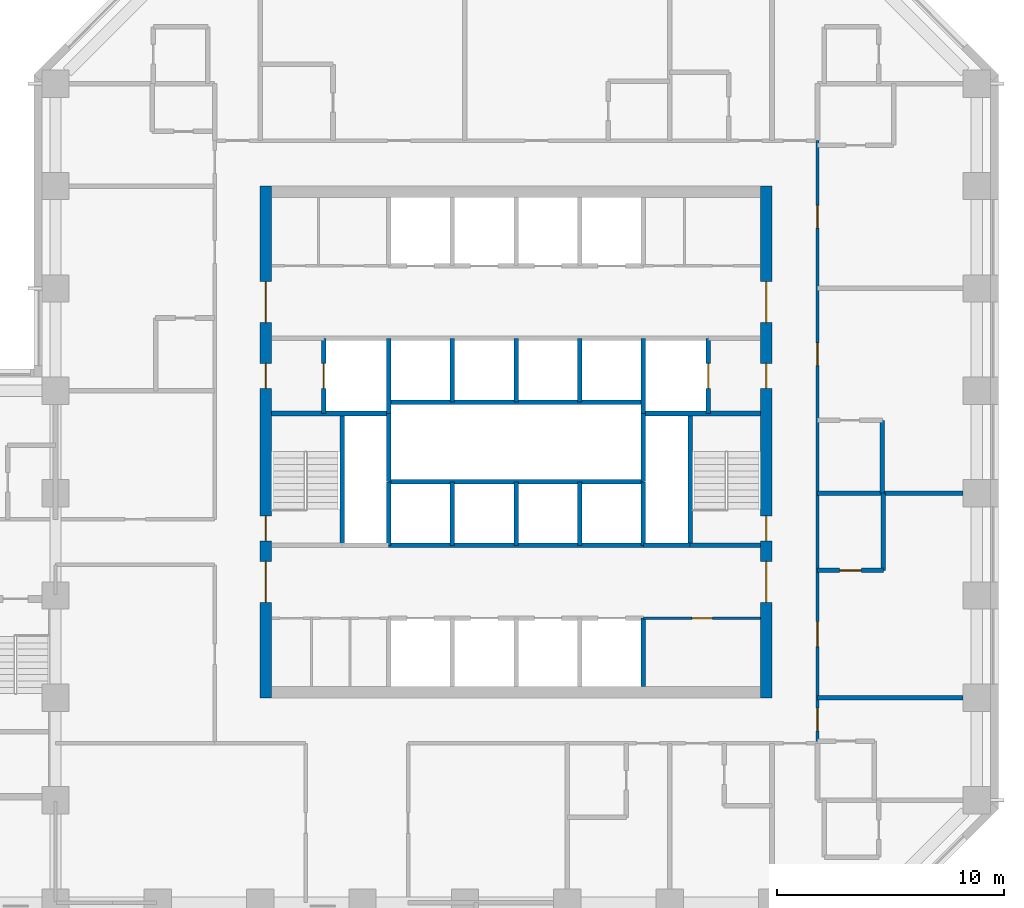
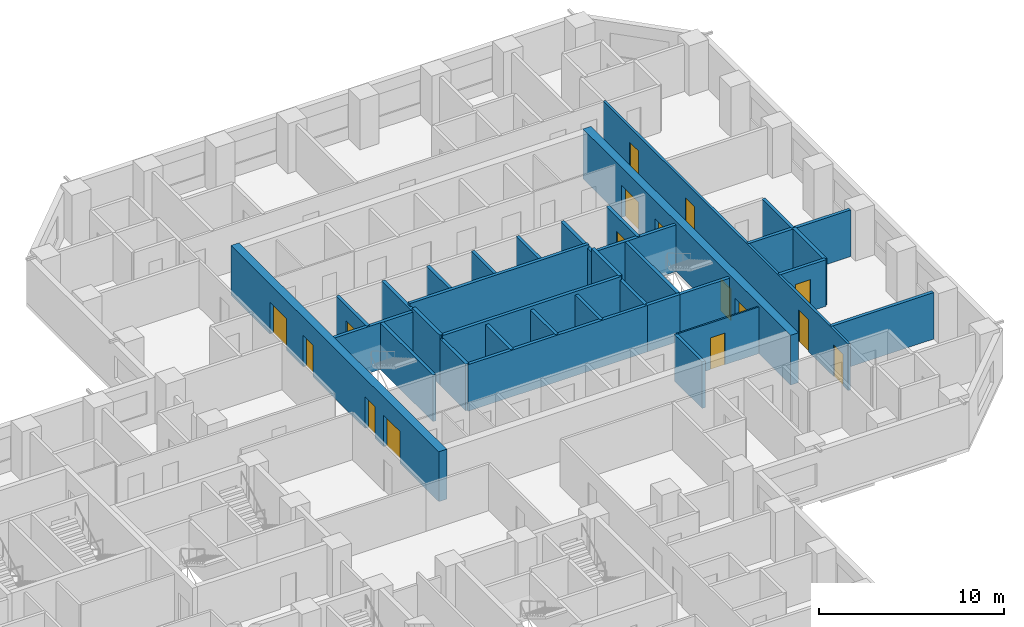
# One storey, part 9 of 13: 33 walls, 16 doors, 16 openings.
"""IFC4 building model written with IfcOpenShell, lengths in metres."""

import ifcopenshell
import ifcopenshell.guid

model = None  # the IFC model being written
_history = None  # IfcOwnerHistory: only IFC2X3 demands one
_inside = {}  # id of a spatial element -> (the spatial element, [elements in it])
_under = {}  # id of a project, library or spatial element -> (it, [spatial elements below it])
_declared = {}  # id of a project -> (the project, [libraries it declares])
_typed = {}  # id of a type object -> (the type object, [elements of that type])
_made_of = {}  # id of a material, layer set ... -> (it, [elements and type objects made of it])


def new_model(schema):
    """Start an empty IFC model of exactly this schema.

    Asked for "IFC4X3", IfcOpenShell would pick the latest addendum, in which some entities
    have other attributes; the version numbers below select the first issue.
    IFC2X3 requires an IfcOwnerHistory on every rooted entity: one is made here for all.
    """
    global model, _history
    if schema == "IFC4X3":
        model = ifcopenshell.file(schema_version=(4, 3, 0, 0))
    else:
        model = ifcopenshell.file(schema=schema)
    _inside.clear()
    _under.clear()
    _declared.clear()
    _typed.clear()
    _made_of.clear()
    _history = None
    if model.schema == "IFC2X3":
        org = make("IfcOrganization", Name="unknown")
        user = make(
            "IfcPersonAndOrganization",
            ThePerson=make("IfcPerson", FamilyName="unknown"),
            TheOrganization=org,
        )
        app = make(
            "IfcApplication",
            ApplicationDeveloper=org,
            Version="unknown",
            ApplicationFullName="unknown",
            ApplicationIdentifier="unknown",
        )
        _history = make(
            "IfcOwnerHistory",
            OwningUser=user,
            OwningApplication=app,
            ChangeAction="ADDED",
            CreationDate=0,
        )
    return model


def make(cls, **values):
    """One entity of the class cls with the attributes given. An attribute that is None is left unset."""
    return model.create_entity(
        cls, **{name: value for name, value in values.items() if value is not None}
    )


def rooted(cls, **values):
    """An entity with a GlobalId (a new one), such as an element, a storey or a relation."""
    return make(cls, GlobalId=ifcopenshell.guid.new(), OwnerHistory=_history, **values)


def si_unit(unit_type, name, prefix=None):
    """IfcSIUnit, for example si_unit("LENGTHUNIT", "METRE", prefix="MILLI")."""
    return make("IfcSIUnit", UnitType=unit_type, Prefix=prefix, Name=name)


def assignment(units):
    """IfcUnitAssignment: the units of a project."""
    return None if units is None else make("IfcUnitAssignment", Units=units)


def point(xyz):
    """IfcCartesianPoint."""
    return None if xyz is None else make("IfcCartesianPoint", Coordinates=xyz)


def direction(xyz):
    """IfcDirection."""
    return None if xyz is None else make("IfcDirection", DirectionRatios=xyz)


def frame(location, z_axis=None, x_axis=None):
    """IfcAxis2Placement3D, a coordinate frame: its origin and axes. An axis left out is left unset."""
    return make(
        "IfcAxis2Placement3D",
        Location=point(location),
        Axis=direction(z_axis),
        RefDirection=direction(x_axis),
    )


def frame_2d(location, x_axis=None):
    """IfcAxis2Placement2D, a coordinate frame in the plane: its origin and x axis."""
    return make(
        "IfcAxis2Placement2D", Location=point(location), RefDirection=direction(x_axis)
    )


def origin():
    """The frame at (0, 0, 0) with its axes left unset."""
    return frame((0.0, 0.0, 0.0))


def place(relative_to, where):
    """IfcLocalPlacement: puts the frame where relative to a parent placement (None: the world)."""
    return make(
        "IfcLocalPlacement", PlacementRelTo=relative_to, RelativePlacement=where
    )


def context(
    kind, dimensions, precision=None, world=None, true_north=None, identifier=None
):
    """IfcGeometricRepresentationContext, for example the 3D "Model" context."""
    return make(
        "IfcGeometricRepresentationContext",
        ContextIdentifier=identifier,
        ContextType=kind,
        CoordinateSpaceDimension=dimensions,
        Precision=precision,
        WorldCoordinateSystem=world,
        TrueNorth=true_north,
    )


def subcontext(parent, identifier, kind, view, scale=None):
    """IfcGeometricRepresentationSubContext, for example "Body" below "Model"."""
    return make(
        "IfcGeometricRepresentationSubContext",
        ContextIdentifier=identifier,
        ContextType=kind,
        ParentContext=parent,
        TargetScale=scale,
        TargetView=view,
    )


def project(units=None, contexts=None):
    """IfcProject with its units and contexts."""
    return rooted(
        "IfcProject",
        Name="project",
        RepresentationContexts=contexts,
        UnitsInContext=assignment(units),
    )


def spatial(cls, under=None, at=None, **own):
    """A site, building, storey or space (cls), placed at a placement, below another one or the project."""
    s = rooted(cls, ObjectPlacement=at, **own)
    if under is not None:
        _under.setdefault(under.id(), (under, []))[1].append(s)
    return s


def profile(cls, at=None, kind="AREA", **sizes):
    """A parametric profile (cls). Its sizes go by their IFC names, for example OverallWidth=200.0."""
    return make(cls, ProfileType=kind, Position=at, **sizes)


def rectangle(**sizes):
    """IfcRectangleProfileDef."""
    return profile("IfcRectangleProfileDef", **sizes)


def extrude(swept, where, along, depth):
    """IfcExtrudedAreaSolid: the profile swept, set in the frame where, extruded along a direction by depth."""
    return make(
        "IfcExtrudedAreaSolid",
        SweptArea=swept,
        Position=where,
        ExtrudedDirection=direction(along),
        Depth=depth,
    )


def shape(context_of_items, identifier, shape_type, items):
    """IfcShapeRepresentation: the items that make up one representation, for example the "Body"."""
    return make(
        "IfcShapeRepresentation",
        ContextOfItems=context_of_items,
        RepresentationIdentifier=identifier,
        RepresentationType=shape_type,
        Items=items,
    )


def material(Name=None, Category=None):
    """IfcMaterial."""
    return make("IfcMaterial", Name=Name, Category=Category)


def layer(
    of_material, thickness, ventilated=None, Name=None, Category=None, Priority=None
):
    """IfcMaterialLayer: one layer of a wall or slab, of a material (None: an air gap)."""
    return make(
        "IfcMaterialLayer",
        Material=of_material,
        LayerThickness=thickness,
        IsVentilated=ventilated,
        Name=Name,
        Category=Category,
        Priority=Priority,
    )


def layer_set(layers, Name=None):
    """IfcMaterialLayerSet."""
    return make("IfcMaterialLayerSet", MaterialLayers=layers, LayerSetName=Name)


def made_of(thing, what):
    """Note that an element or type object is made of a material, layer set ...; save() writes the relation."""
    if what is not None:
        _made_of.setdefault(what.id(), (what, []))[1].append(thing)
    return thing


def type_object(cls, material=None, **own):
    """A type object (cls), such as IfcWallType, which elements share."""
    return made_of(rooted(cls, **own), material)


def element(
    cls,
    number,
    at=None,
    inside=None,
    cuts=None,
    type_object=None,
    material=None,
    context=None,
    identifier="Body",
    shape_type=None,
    held_by="IfcProductDefinitionShape",
    body=None,
    shapes=None,
    **own,
):
    """One element of the class cls, such as IfcWall. Its Tag is "e" and its number.

    at: its placement. inside: the storey or other place that contains it. cuts: it is an
    opening in that element (IfcRelVoidsElement). A single representation is given by context,
    identifier, shape_type and body (its items); several are given by shapes. held_by: the class
    of the entity that holds the representations. save() writes the other relations.
    """
    e = rooted(cls, Tag="e%d" % number, ObjectPlacement=at, **own)
    if body is not None:
        shapes = [shape(context, identifier, shape_type, body)]
    if shapes is not None:
        e.Representation = make(held_by, Representations=shapes)
    if inside is not None:
        _inside.setdefault(inside.id(), (inside, []))[1].append(e)
    if cuts is not None:
        rooted(
            "IfcRelVoidsElement", RelatingBuildingElement=cuts, RelatedOpeningElement=e
        )
    if type_object is not None:
        _typed.setdefault(type_object.id(), (type_object, []))[1].append(e)
    return made_of(e, material)


def fill(opening, filler):
    """IfcRelFillsElement: the door or window that sits in an opening."""
    return rooted(
        "IfcRelFillsElement",
        RelatingOpeningElement=opening,
        RelatedBuildingElement=filler,
    )


def aggregate(whole, parts):
    """IfcRelAggregates: a whole, such as a stair, and the parts it consists of."""
    return rooted("IfcRelAggregates", RelatingObject=whole, RelatedObjects=parts)


def save(model, path):
    """Write the relations noted so far, then the file.

    IfcRelAggregates (storeys below a building ...), IfcRelContainedInSpatialStructure (elements
    in a storey), IfcRelDefinesByType, IfcRelAssociatesMaterial and IfcRelDeclares: one each for
    every whole, place, type object, material and project.
    """
    for whole, parts in _under.values():
        aggregate(whole, parts)
    for where, things in _inside.values():
        rooted(
            "IfcRelContainedInSpatialStructure",
            RelatedElements=things,
            RelatingStructure=where,
        )
    for kind, things in _typed.values():
        rooted("IfcRelDefinesByType", RelatedObjects=things, RelatingType=kind)
    for what, things in _made_of.values():
        rooted("IfcRelAssociatesMaterial", RelatedObjects=things, RelatingMaterial=what)
    for by, libraries in _declared.values():
        rooted("IfcRelDeclares", RelatingContext=by, RelatedDefinitions=libraries)
    model.write(path)


model = new_model("IFC4")

# Units and contexts
model_context = context("Model", 3, precision=1e-05, world=origin(), true_north=direction((0.0, 1.0)))
body_context = subcontext(model_context, "Body", "Model", "MODEL_VIEW")
ifc_project = project(units=[si_unit("LENGTHUNIT", "METRE"), si_unit("AREAUNIT", "SQUARE_METRE"), si_unit("VOLUMEUNIT", "CUBIC_METRE"), si_unit("PLANEANGLEUNIT", "RADIAN"), si_unit("MASSUNIT", "GRAM", prefix="KILO")], contexts=[model_context])

# Site, building, storey
site_placement = place(None, origin())
site = spatial("IfcSite", under=ifc_project, at=site_placement, CompositionType="ELEMENT")
building_placement = place(site_placement, origin())
building = spatial("IfcBuilding", under=site, at=building_placement, Name="Quoin Convention Tower", CompositionType="ELEMENT")
storey_placement = place(building_placement, frame((0.0, 0.0, 36.300048828125)))
storey = spatial("IfcBuildingStorey", under=building, at=storey_placement, Name="L08", CompositionType="ELEMENT", Elevation=36.300048828125)

# Wall, opening, door
ifc_material_1 = material(Name="Plasterboard")
ifc_layer_1 = layer(ifc_material_1, 0.012451171875, Name="Finish")
ifc_material_2 = material(Name="Steel stud framing", Category="steel")
ifc_layer_2 = layer(ifc_material_2, 0.074951171875, Name="Structure")
ifc_layer_3 = layer(ifc_material_1, 0.012451171875, Name="Finish")
ifc_layer_set_1 = layer_set([ifc_layer_1, ifc_layer_2, ifc_layer_3], Name="Steel stud framing")
wall_type_1 = type_object("IfcWallType", Name="Core partition wall", PredefinedType="PARTITIONING", material=ifc_layer_set_1)
wall_1_placement = place(storey_placement, frame((61.85009765625, 53.0, 0.0), z_axis=(0.0, 0.0, 1.0), x_axis=(1.0, 0.0, 0.0)))
wall_1 = element("IfcWall", 1, at=wall_1_placement, inside=storey, type_object=wall_type_1, Name="cr-C1-L08-h3500_16850", PredefinedType="PARTITIONING", context=body_context, shape_type="SweptSolid", body=[
    extrude(rectangle(XDim=5.14990234375, YDim=0.10009765625, at=frame_2d((2.574951171875, 0.0))), origin(), (0.0, 0.0, 1.0), 3.079833984375),
])
opening_1_placement = place(wall_1_placement, frame((2.125, 0.0, 0.0)))
opening_1 = element("IfcOpeningElement", 2, at=opening_1_placement, cuts=wall_1, Name="Opening DCV3-19", PredefinedType="OPENING", context=body_context, shape_type="SweptSolid", body=[
    extrude(rectangle(XDim=0.89990234375, YDim=2.10009765625, at=frame_2d((0.449951171875, 1.050048828125))), frame((0.0, 0.06005859375, 0.0), z_axis=(0.0, -1.0, 0.0), x_axis=(1.0, 0.0, 0.0)), (0.0, 0.0, 1.0), 0.1201171875),
])
ifc_material_3 = material(Name="Steel door leaf", Category="steel")
door_type_1 = type_object("IfcDoorType", Name="Core room door 900 x 2100", OperationType="SINGLE_SWING_LEFT", PredefinedType="DOOR", material=ifc_material_3)
door_1_placement = place(opening_1_placement, frame((0.89990234375, 0.0, 0.0), z_axis=(0.0, 0.0, 1.0), x_axis=(-1.0, 0.0, 0.0)))
door_1 = element("IfcDoor", 3, at=door_1_placement, inside=storey, type_object=door_type_1, Name="cd-C1-L08-CSE0-lobA-CD0811", OperationType="SINGLE_SWING_RIGHT", OverallHeight=2.10009765625, OverallWidth=0.89990234375, PredefinedType="DOOR", context=body_context, shape_type="SweptSolid", body=[
    extrude(rectangle(XDim=0.89990234375, YDim=2.10009765625, at=frame_2d((0.449951171875, 1.050048828125))), frame((0.0, 0.02490234375, 0.0), z_axis=(0.0, -1.0, 0.0), x_axis=(1.0, 0.0, 0.0)), (0.0, 0.0, 1.0), 0.050048828125),
])
fill(opening_1, door_1)

# Walls
ifc_material_4 = material(Name="Concrete C50", Category="concrete")
ifc_layer_4 = layer(ifc_material_4, 0.199951171875)
ifc_layer_set_2 = layer_set([ifc_layer_4], Name="Concrete C50")
wall_type_2 = type_object("IfcWallType", Name="Core shaft wall", PredefinedType="SOLIDWALL", material=ifc_layer_set_2)
wall_2_placement = place(storey_placement, frame((61.85009765625, 56.199951171875, 0.0), z_axis=(0.0, 0.0, 1.0), x_axis=(1.0, 0.0, 0.0)))
element("IfcWall", 4, at=wall_2_placement, inside=storey, type_object=wall_type_2, Name="cr-C1-L08-h6700_16850", PredefinedType="SOLIDWALL", context=body_context, shape_type="SweptSolid", body=[
    extrude(rectangle(XDim=2.0498046875, YDim=0.199951171875, at=frame_2d((1.02490234375, 0.0))), origin(), (0.0, 0.0, 1.0), 3.079833984375),
])
wall_3_placement = place(storey_placement, frame((50.64990234375, 56.199951171875, 0.0), z_axis=(0.0, 0.0, 1.0), x_axis=(1.0, 0.0, 0.0)))
element("IfcWall", 5, at=wall_3_placement, inside=storey, type_object=wall_type_2, Name="cr-C1-L08-h6700_5650", PredefinedType="SOLIDWALL", context=body_context, shape_type="SweptSolid", body=[
    extrude(rectangle(XDim=11.2001953125, YDim=0.199951171875, at=frame_2d((5.60009765625, 0.0))), origin(), (0.0, 0.0, 1.0), 3.079833984375),
])
wall_4_placement = place(storey_placement, frame((63.89990234375, 56.199951171875, 0.0), z_axis=(0.0, 0.0, 1.0), x_axis=(1.0, 0.0, 0.0)))
element("IfcWall", 6, at=wall_4_placement, inside=storey, type_object=wall_type_2, Name="cr-C1-L08-h6700_18900", PredefinedType="SOLIDWALL", context=body_context, shape_type="SweptSolid", body=[
    extrude(rectangle(XDim=3.10009765625, YDim=0.199951171875, at=frame_2d((1.550048828125, 0.0))), origin(), (0.0, 0.0, 1.0), 3.079833984375),
])
for number, where, z_axis, x_axis, name in (
    (7, (45.5, 62.0, 0.0), (0.0, 0.0, 1.0), (1.0, 0.0, 0.0), "cr-C1-L08-h12500_500"),
    (8, (61.85009765625, 62.0, 0.0), (0.0, 0.0, 1.0), (1.0, 0.0, 0.0), "cr-C1-L08-h12500_16850"),
):
    element("IfcWall", number, at=place(storey_placement, frame(where, z_axis=z_axis, x_axis=x_axis)), inside=storey, type_object=wall_type_2, Name=name, PredefinedType="SOLIDWALL", context=body_context, shape_type="SweptSolid", body=[
        extrude(rectangle(XDim=5.14990234375, YDim=0.199951171875, at=frame_2d((2.574951171875, 0.0))), origin(), (0.0, 0.0, 1.0), 3.079833984375),
    ])

# Wall, opening, door
wall_5_placement = place(storey_placement, frame((47.800048828125, 62.0, 0.0), z_axis=(0.0, 0.0, 1.0), x_axis=(0.0, 1.0, 0.0)))
wall_5 = element("IfcWall", 9, at=wall_5_placement, inside=storey, type_object=wall_type_2, Name="cr-C1-L08-v2800_12500", PredefinedType="SOLIDWALL", context=body_context, shape_type="SweptSolid", body=[
    extrude(rectangle(XDim=3.300048828125, YDim=0.199951171875, at=frame_2d((1.64990234375, 0.0))), origin(), (0.0, 0.0, 1.0), 3.079833984375),
])
opening_2_placement = place(wall_5_placement, frame((1.10009765625, 0.0, 0.0)))
opening_2 = element("IfcOpeningElement", 10, at=opening_2_placement, cuts=wall_5, Name="Opening LDFL1", PredefinedType="OPENING", context=body_context, shape_type="SweptSolid", body=[
    extrude(rectangle(XDim=1.10009765625, YDim=2.10009765625, at=frame_2d((0.550048828125, 1.050048828125))), frame((0.0, 0.10986328125, 0.0), z_axis=(0.0, -1.0, 0.0), x_axis=(1.0, 0.0, 0.0)), (0.0, 0.0, 1.0), 0.219970703125),
])
door_type_2 = type_object("IfcDoorType", Name="Lift landing door 1100 x 2100", OperationType="DOUBLE_DOOR_SLIDING", PredefinedType="DOOR", material=ifc_material_3)
door_2_placement = place(opening_2_placement, origin())
door_2 = element("IfcDoor", 11, at=door_2_placement, inside=storey, type_object=door_type_2, Name="cd-C1-L08-FLW-FFW-LDFL1", OperationType="DOUBLE_DOOR_SLIDING", OverallHeight=2.10009765625, OverallWidth=1.10009765625, PredefinedType="DOOR", context=body_context, shape_type="SweptSolid", body=[
    extrude(rectangle(XDim=1.10009765625, YDim=2.10009765625, at=frame_2d((0.550048828125, 1.050048828125))), frame((0.0, 0.02490234375, 0.0), z_axis=(0.0, -1.0, 0.0), x_axis=(1.0, 0.0, 0.0)), (0.0, 0.0, 1.0), 0.050048828125),
])
fill(opening_2, door_2)

# Walls
wall_6_placement = place(storey_placement, frame((48.60009765625, 56.199951171875, 0.0), z_axis=(0.0, 0.0, 1.0), x_axis=(0.0, 1.0, 0.0)))
element("IfcWall", 12, at=wall_6_placement, inside=storey, type_object=wall_type_2, Name="cr-C1-L08-v3600_6700", PredefinedType="SOLIDWALL", context=body_context, shape_type="SweptSolid", body=[
    extrude(rectangle(XDim=5.800048828125, YDim=0.199951171875, at=frame_2d((2.89990234375, 0.0))), origin(), (0.0, 0.0, 1.0), 3.079833984375),
])
wall_7_placement = place(storey_placement, frame((50.64990234375, 56.199951171875, 0.0), z_axis=(0.0, 0.0, 1.0), x_axis=(0.0, 1.0, 0.0)))
element("IfcWall", 13, at=wall_7_placement, inside=storey, type_object=wall_type_2, Name="cr-C1-L08-v5650_6700", PredefinedType="SOLIDWALL", context=body_context, shape_type="SweptSolid", body=[
    extrude(rectangle(XDim=2.800048828125, YDim=0.199951171875, at=frame_2d((1.39990234375, 0.0))), origin(), (0.0, 0.0, 1.0), 3.079833984375),
])
wall_8_placement = place(storey_placement, frame((50.64990234375, 62.0, 0.0), z_axis=(0.0, 0.0, 1.0), x_axis=(0.0, 1.0, 0.0)))
element("IfcWall", 14, at=wall_8_placement, inside=storey, type_object=wall_type_2, Name="cr-C1-L08-v5650_12500", PredefinedType="SOLIDWALL", context=body_context, shape_type="SweptSolid", body=[
    extrude(rectangle(XDim=3.300048828125, YDim=0.199951171875, at=frame_2d((1.64990234375, 0.0))), origin(), (0.0, 0.0, 1.0), 3.079833984375),
])
for number, where, z_axis, x_axis, name in (
    (15, (53.449951171875, 56.199951171875, 0.0), (0.0, 0.0, 1.0), (0.0, 1.0, 0.0), "cr-C1-L08-v8450_6700"),
    (16, (53.449951171875, 62.5, 0.0), (0.0, 0.0, 1.0), (0.0, 1.0, 0.0), "cr-C1-L08-v8450_13000"),
    (17, (56.25, 56.199951171875, 0.0), (0.0, 0.0, 1.0), (0.0, 1.0, 0.0), "cr-C1-L08-v11250_6700"),
    (18, (56.25, 62.5, 0.0), (0.0, 0.0, 1.0), (0.0, 1.0, 0.0), "cr-C1-L08-v11250_13000"),
    (19, (59.050048828125, 56.199951171875, 0.0), (0.0, 0.0, 1.0), (0.0, 1.0, 0.0), "cr-C1-L08-v14050_6700"),
    (20, (59.050048828125, 62.5, 0.0), (0.0, 0.0, 1.0), (0.0, 1.0, 0.0), "cr-C1-L08-v14050_13000"),
):
    element("IfcWall", number, at=place(storey_placement, frame(where, z_axis=z_axis, x_axis=x_axis)), inside=storey, type_object=wall_type_2, Name=name, PredefinedType="SOLIDWALL", context=body_context, shape_type="SweptSolid", body=[
        extrude(rectangle(XDim=2.800048828125, YDim=0.199951171875, at=frame_2d((1.39990234375, 0.0))), origin(), (0.0, 0.0, 1.0), 3.079833984375),
    ])
wall_9_placement = place(storey_placement, frame((61.85009765625, 50.0, 0.0), z_axis=(0.0, 0.0, 1.0), x_axis=(0.0, 1.0, 0.0)))
element("IfcWall", 21, at=wall_9_placement, inside=storey, type_object=wall_type_2, Name="cr-C1-L08-v16850_500", PredefinedType="SOLIDWALL", context=body_context, shape_type="SweptSolid", body=[
    extrude(rectangle(XDim=3.0, YDim=0.199951171875, at=frame_2d((1.5, 0.0))), origin(), (0.0, 0.0, 1.0), 3.079833984375),
])
wall_10_placement = place(storey_placement, frame((61.85009765625, 56.199951171875, 0.0), z_axis=(0.0, 0.0, 1.0), x_axis=(0.0, 1.0, 0.0)))
element("IfcWall", 22, at=wall_10_placement, inside=storey, type_object=wall_type_2, Name="cr-C1-L08-v16850_6700", PredefinedType="SOLIDWALL", context=body_context, shape_type="SweptSolid", body=[
    extrude(rectangle(XDim=2.800048828125, YDim=0.199951171875, at=frame_2d((1.39990234375, 0.0))), origin(), (0.0, 0.0, 1.0), 3.079833984375),
])
wall_11_placement = place(storey_placement, frame((61.85009765625, 62.0, 0.0), z_axis=(0.0, 0.0, 1.0), x_axis=(0.0, 1.0, 0.0)))
element("IfcWall", 23, at=wall_11_placement, inside=storey, type_object=wall_type_2, Name="cr-C1-L08-v16850_12500", PredefinedType="SOLIDWALL", context=body_context, shape_type="SweptSolid", body=[
    extrude(rectangle(XDim=3.300048828125, YDim=0.199951171875, at=frame_2d((1.64990234375, 0.0))), origin(), (0.0, 0.0, 1.0), 3.079833984375),
])
wall_12_placement = place(storey_placement, frame((63.89990234375, 56.199951171875, 0.0), z_axis=(0.0, 0.0, 1.0), x_axis=(0.0, 1.0, 0.0)))
element("IfcWall", 24, at=wall_12_placement, inside=storey, type_object=wall_type_2, Name="cr-C1-L08-v18900_6700", PredefinedType="SOLIDWALL", context=body_context, shape_type="SweptSolid", body=[
    extrude(rectangle(XDim=5.800048828125, YDim=0.199951171875, at=frame_2d((2.89990234375, 0.0))), origin(), (0.0, 0.0, 1.0), 3.079833984375),
])

# Wall, opening, door
wall_13_placement = place(storey_placement, frame((64.699951171875, 62.0, 0.0), z_axis=(0.0, 0.0, 1.0), x_axis=(0.0, 1.0, 0.0)))
wall_13 = element("IfcWall", 25, at=wall_13_placement, inside=storey, type_object=wall_type_2, Name="cr-C1-L08-v19700_12500", PredefinedType="SOLIDWALL", context=body_context, shape_type="SweptSolid", body=[
    extrude(rectangle(XDim=3.300048828125, YDim=0.199951171875, at=frame_2d((1.64990234375, 0.0))), origin(), (0.0, 0.0, 1.0), 3.079833984375),
])
opening_3_placement = place(wall_13_placement, frame((1.10009765625, 0.0, 0.0)))
opening_3 = element("IfcOpeningElement", 26, at=opening_3_placement, cuts=wall_13, Name="Opening LDFL2", PredefinedType="OPENING", context=body_context, shape_type="SweptSolid", body=[
    extrude(rectangle(XDim=1.10009765625, YDim=2.10009765625, at=frame_2d((0.550048828125, 1.050048828125))), frame((0.0, 0.10986328125, 0.0), z_axis=(0.0, -1.0, 0.0), x_axis=(1.0, 0.0, 0.0)), (0.0, 0.0, 1.0), 0.219970703125),
])
door_3_placement = place(opening_3_placement, origin())
door_3 = element("IfcDoor", 27, at=door_3_placement, inside=storey, type_object=door_type_2, Name="cd-C1-L08-FLE-FFE-LDFL2", OperationType="DOUBLE_DOOR_SLIDING", OverallHeight=2.10009765625, OverallWidth=1.10009765625, PredefinedType="DOOR", context=body_context, shape_type="SweptSolid", body=[
    extrude(rectangle(XDim=1.10009765625, YDim=2.10009765625, at=frame_2d((0.550048828125, 1.050048828125))), frame((0.0, 0.02490234375, 0.0), z_axis=(0.0, -1.0, 0.0), x_axis=(1.0, 0.0, 0.0)), (0.0, 0.0, 1.0), 0.050048828125),
])
fill(opening_3, door_3)

# Walls
ifc_layer_5 = layer(ifc_material_4, 0.199951171875)
ifc_layer_set_3 = layer_set([ifc_layer_5], Name="Concrete C50")
wall_type_3 = type_object("IfcWallType", Name="Core shaft wall to the floor level over", PredefinedType="SOLIDWALL", material=ifc_layer_set_3)
for number, where, z_axis, x_axis, name in (
    (28, (50.64990234375, 59.0, 0.0), (0.0, 0.0, 1.0), (1.0, 0.0, 0.0), "cr-C1-L08-h9500_5650"),
    (29, (50.64990234375, 62.5, 0.0), (0.0, 0.0, 1.0), (1.0, 0.0, 0.0), "cr-C1-L08-h13000_5650"),
):
    element("IfcWall", number, at=place(storey_placement, frame(where, z_axis=z_axis, x_axis=x_axis)), inside=storey, type_object=wall_type_3, Name=name, PredefinedType="SOLIDWALL", context=body_context, shape_type="SweptSolid", body=[
        extrude(rectangle(XDim=11.2001953125, YDim=0.199951171875, at=frame_2d((5.60009765625, 0.0))), origin(), (0.0, 0.0, 1.0), 3.300048828125),
    ])
for number, where, z_axis, x_axis, name in (
    (30, (50.64990234375, 59.0, 0.0), (0.0, 0.0, 1.0), (0.0, 1.0, 0.0), "cr-C1-L08-v5650_9500"),
    (31, (61.85009765625, 59.0, 0.0), (0.0, 0.0, 1.0), (0.0, 1.0, 0.0), "cr-C1-L08-v16850_9500"),
):
    element("IfcWall", number, at=place(storey_placement, frame(where, z_axis=z_axis, x_axis=x_axis)), inside=storey, type_object=wall_type_3, Name=name, PredefinedType="SOLIDWALL", context=body_context, shape_type="SweptSolid", body=[
        extrude(rectangle(XDim=3.0, YDim=0.199951171875, at=frame_2d((1.5, 0.0))), origin(), (0.0, 0.0, 1.0), 3.300048828125),
    ])

# Wall, openings, doors
ifc_material_5 = material(Name="Concrete C80", Category="concrete")
ifc_layer_6 = layer(ifc_material_5, 0.5)
ifc_layer_set_4 = layer_set([ifc_layer_6], Name="Concrete C80")
wall_type_4 = type_object("IfcWallType", Name="RC CORE WALL 500 C80", PredefinedType="SHEAR", material=ifc_layer_set_4)
wall_14_placement = place(storey_placement, frame((45.25, 49.5, 0.0), z_axis=(0.0, 0.0, 1.0), x_axis=(0.0, 1.0, 0.0)))
wall_14 = element("IfcWall", 32, at=wall_14_placement, inside=storey, type_object=wall_type_4, Name="cwl-C1-L08-W", PredefinedType="SHEAR", context=body_context, shape_type="SweptSolid", body=[
    extrude(rectangle(XDim=22.5, YDim=0.5, at=frame_2d((11.25, 0.0))), origin(), (0.0, 0.0, 1.0), 3.300048828125),
])
opening_4_placement = place(wall_14_placement, frame((4.199951171875, 0.0, 0.0)))
opening_4 = element("IfcOpeningElement", 33, at=opening_4_placement, cuts=wall_14, Name="Opening DCV3-40", PredefinedType="OPENING", context=body_context, shape_type="SweptSolid", body=[
    extrude(rectangle(XDim=1.800048828125, YDim=2.10009765625, at=frame_2d((0.89990234375, 1.050048828125))), frame((0.0, 0.260009765625, 0.0), z_axis=(0.0, -1.0, 0.0), x_axis=(1.0, 0.0, 0.0)), (0.0, 0.0, 1.0), 0.52001953125),
])
opening_5_placement = place(wall_14_placement, frame((6.89990234375, 0.0, 0.0)))
opening_5 = element("IfcOpeningElement", 34, at=opening_5_placement, cuts=wall_14, Name="Opening SD1", PredefinedType="OPENING", context=body_context, shape_type="SweptSolid", body=[
    extrude(rectangle(XDim=1.10009765625, YDim=2.10009765625, at=frame_2d((0.550048828125, 1.050048828125))), frame((0.0, 0.260009765625, 0.0), z_axis=(0.0, -1.0, 0.0), x_axis=(1.0, 0.0, 0.0)), (0.0, 0.0, 1.0), 0.52001953125),
])
opening_6_placement = place(wall_14_placement, frame((13.60009765625, 0.0, 0.0)))
opening_6 = element("IfcOpeningElement", 35, at=opening_6_placement, cuts=wall_14, Name="Opening DCV3-39", PredefinedType="OPENING", context=body_context, shape_type="SweptSolid", body=[
    extrude(rectangle(XDim=1.10009765625, YDim=2.10009765625, at=frame_2d((0.550048828125, 1.050048828125))), frame((0.0, 0.260009765625, 0.0), z_axis=(0.0, -1.0, 0.0), x_axis=(1.0, 0.0, 0.0)), (0.0, 0.0, 1.0), 0.52001953125),
])
opening_7_placement = place(wall_14_placement, frame((16.5, 0.0, 0.0)))
opening_7 = element("IfcOpeningElement", 36, at=opening_7_placement, cuts=wall_14, Name="Opening DCV3-40", PredefinedType="OPENING", context=body_context, shape_type="SweptSolid", body=[
    extrude(rectangle(XDim=1.800048828125, YDim=2.10009765625, at=frame_2d((0.89990234375, 1.050048828125))), frame((0.0, 0.260009765625, 0.0), z_axis=(0.0, -1.0, 0.0), x_axis=(1.0, 0.0, 0.0)), (0.0, 0.0, 1.0), 0.52001953125),
])
door_type_3 = type_object("IfcDoorType", Name="Fire-fighting lobby door 1100 x 2100", OperationType="SINGLE_SWING_LEFT", PredefinedType="DOOR", material=ifc_material_3)
door_4_placement = place(opening_6_placement, frame((1.10009765625, 0.0, 0.0), z_axis=(0.0, 0.0, 1.0), x_axis=(-1.0, 0.0, 0.0)))
door_4 = element("IfcDoor", 37, at=door_4_placement, inside=storey, type_object=door_type_3, Name="cd-C1-L08-FFW-W", OperationType="SINGLE_SWING_LEFT", OverallHeight=2.10009765625, OverallWidth=1.10009765625, PredefinedType="DOOR", context=body_context, shape_type="SweptSolid", body=[
    extrude(rectangle(XDim=1.10009765625, YDim=2.10009765625, at=frame_2d((0.550048828125, 1.050048828125))), frame((0.0, 0.02490234375, 0.0), z_axis=(0.0, -1.0, 0.0), x_axis=(1.0, 0.0, 0.0)), (0.0, 0.0, 1.0), 0.050048828125),
])
fill(opening_6, door_4)
door_type_4 = type_object("IfcDoorType", Name="Lift lobby door 1800 x 2100", OperationType="SINGLE_SWING_LEFT", PredefinedType="DOOR", material=ifc_material_3)
door_5_placement = place(opening_4_placement, frame((1.800048828125, 0.0, 0.0), z_axis=(0.0, 0.0, 1.0), x_axis=(-1.0, 0.0, 0.0)))
door_5 = element("IfcDoor", 38, at=door_5_placement, inside=storey, type_object=door_type_4, Name="cd-C1-L08-lobA-W", OperationType="SINGLE_SWING_LEFT", OverallHeight=2.10009765625, OverallWidth=1.800048828125, PredefinedType="DOOR", context=body_context, shape_type="SweptSolid", body=[
    extrude(rectangle(XDim=1.800048828125, YDim=2.10009765625, at=frame_2d((0.89990234375, 1.050048828125))), frame((0.0, 0.02490234375, 0.0), z_axis=(0.0, -1.0, 0.0), x_axis=(1.0, 0.0, 0.0)), (0.0, 0.0, 1.0), 0.050048828125),
])
fill(opening_4, door_5)
door_6_placement = place(opening_7_placement, frame((1.800048828125, 0.0, 0.0), z_axis=(0.0, 0.0, 1.0), x_axis=(-1.0, 0.0, 0.0)))
door_6 = element("IfcDoor", 39, at=door_6_placement, inside=storey, type_object=door_type_4, Name="cd-C1-L08-lobB-W", OperationType="SINGLE_SWING_LEFT", OverallHeight=2.10009765625, OverallWidth=1.800048828125, PredefinedType="DOOR", context=body_context, shape_type="SweptSolid", body=[
    extrude(rectangle(XDim=1.800048828125, YDim=2.10009765625, at=frame_2d((0.89990234375, 1.050048828125))), frame((0.0, 0.02490234375, 0.0), z_axis=(0.0, -1.0, 0.0), x_axis=(1.0, 0.0, 0.0)), (0.0, 0.0, 1.0), 0.050048828125),
])
fill(opening_7, door_6)
door_type_5 = type_object("IfcDoorType", Name="Stair door 1100 x 2100", OperationType="SINGLE_SWING_RIGHT", PredefinedType="DOOR", material=ifc_material_3)
door_7_placement = place(opening_5_placement, frame((1.10009765625, 0.0, 0.0), z_axis=(0.0, 0.0, 1.0), x_axis=(-1.0, 0.0, 0.0)))
door_7 = element("IfcDoor", 40, at=door_7_placement, inside=storey, type_object=door_type_5, Name="cd-C1-L08-STW-W", OperationType="SINGLE_SWING_RIGHT", OverallHeight=2.10009765625, OverallWidth=1.10009765625, PredefinedType="DOOR", context=body_context, shape_type="SweptSolid", body=[
    extrude(rectangle(XDim=1.10009765625, YDim=2.10009765625, at=frame_2d((0.550048828125, 1.050048828125))), frame((0.0, 0.02490234375, 0.0), z_axis=(0.0, -1.0, 0.0), x_axis=(1.0, 0.0, 0.0)), (0.0, 0.0, 1.0), 0.050048828125),
])
fill(opening_5, door_7)

wall_15_placement = place(storey_placement, frame((67.25, 49.5, 0.0), z_axis=(0.0, 0.0, 1.0), x_axis=(0.0, 1.0, 0.0)))
wall_15 = element("IfcWall", 41, at=wall_15_placement, inside=storey, type_object=wall_type_4, Name="cwl-C1-L08-E", PredefinedType="SHEAR", context=body_context, shape_type="SweptSolid", body=[
    extrude(rectangle(XDim=22.5, YDim=0.5, at=frame_2d((11.25, 0.0))), origin(), (0.0, 0.0, 1.0), 3.300048828125),
])
opening_8_placement = place(wall_15_placement, frame((4.199951171875, 0.0, 0.0)))
opening_8 = element("IfcOpeningElement", 42, at=opening_8_placement, cuts=wall_15, Name="Opening DCV3-38", PredefinedType="OPENING", context=body_context, shape_type="SweptSolid", body=[
    extrude(rectangle(XDim=1.800048828125, YDim=2.10009765625, at=frame_2d((0.89990234375, 1.050048828125))), frame((0.0, 0.260009765625, 0.0), z_axis=(0.0, -1.0, 0.0), x_axis=(1.0, 0.0, 0.0)), (0.0, 0.0, 1.0), 0.52001953125),
])
opening_9_placement = place(wall_15_placement, frame((6.89990234375, 0.0, 0.0)))
opening_9 = element("IfcOpeningElement", 43, at=opening_9_placement, cuts=wall_15, Name="Opening SD2", PredefinedType="OPENING", context=body_context, shape_type="SweptSolid", body=[
    extrude(rectangle(XDim=1.10009765625, YDim=2.10009765625, at=frame_2d((0.550048828125, 1.050048828125))), frame((0.0, 0.260009765625, 0.0), z_axis=(0.0, -1.0, 0.0), x_axis=(1.0, 0.0, 0.0)), (0.0, 0.0, 1.0), 0.52001953125),
])
opening_10_placement = place(wall_15_placement, frame((13.60009765625, 0.0, 0.0)))
opening_10 = element("IfcOpeningElement", 44, at=opening_10_placement, cuts=wall_15, Name="Opening DCV3-37", PredefinedType="OPENING", context=body_context, shape_type="SweptSolid", body=[
    extrude(rectangle(XDim=1.10009765625, YDim=2.10009765625, at=frame_2d((0.550048828125, 1.050048828125))), frame((0.0, 0.260009765625, 0.0), z_axis=(0.0, -1.0, 0.0), x_axis=(1.0, 0.0, 0.0)), (0.0, 0.0, 1.0), 0.52001953125),
])
opening_11_placement = place(wall_15_placement, frame((16.5, 0.0, 0.0)))
opening_11 = element("IfcOpeningElement", 45, at=opening_11_placement, cuts=wall_15, Name="Opening DCV3-38", PredefinedType="OPENING", context=body_context, shape_type="SweptSolid", body=[
    extrude(rectangle(XDim=1.800048828125, YDim=2.10009765625, at=frame_2d((0.89990234375, 1.050048828125))), frame((0.0, 0.260009765625, 0.0), z_axis=(0.0, -1.0, 0.0), x_axis=(1.0, 0.0, 0.0)), (0.0, 0.0, 1.0), 0.52001953125),
])
door_8_placement = place(opening_10_placement, origin())
door_8 = element("IfcDoor", 46, at=door_8_placement, inside=storey, type_object=door_type_3, Name="cd-C1-L08-FFE-E", OperationType="SINGLE_SWING_RIGHT", OverallHeight=2.10009765625, OverallWidth=1.10009765625, PredefinedType="DOOR", context=body_context, shape_type="SweptSolid", body=[
    extrude(rectangle(XDim=1.10009765625, YDim=2.10009765625, at=frame_2d((0.550048828125, 1.050048828125))), frame((0.0, 0.02490234375, 0.0), z_axis=(0.0, -1.0, 0.0), x_axis=(1.0, 0.0, 0.0)), (0.0, 0.0, 1.0), 0.050048828125),
])
fill(opening_10, door_8)
door_9_placement = place(opening_8_placement, origin())
door_9 = element("IfcDoor", 47, at=door_9_placement, inside=storey, type_object=door_type_4, Name="cd-C1-L08-lobA-E", OperationType="SINGLE_SWING_RIGHT", OverallHeight=2.10009765625, OverallWidth=1.800048828125, PredefinedType="DOOR", context=body_context, shape_type="SweptSolid", body=[
    extrude(rectangle(XDim=1.800048828125, YDim=2.10009765625, at=frame_2d((0.89990234375, 1.050048828125))), frame((0.0, 0.02490234375, 0.0), z_axis=(0.0, -1.0, 0.0), x_axis=(1.0, 0.0, 0.0)), (0.0, 0.0, 1.0), 0.050048828125),
])
fill(opening_8, door_9)
door_10_placement = place(opening_11_placement, origin())
door_10 = element("IfcDoor", 48, at=door_10_placement, inside=storey, type_object=door_type_4, Name="cd-C1-L08-lobB-E", OperationType="SINGLE_SWING_RIGHT", OverallHeight=2.10009765625, OverallWidth=1.800048828125, PredefinedType="DOOR", context=body_context, shape_type="SweptSolid", body=[
    extrude(rectangle(XDim=1.800048828125, YDim=2.10009765625, at=frame_2d((0.89990234375, 1.050048828125))), frame((0.0, 0.02490234375, 0.0), z_axis=(0.0, -1.0, 0.0), x_axis=(1.0, 0.0, 0.0)), (0.0, 0.0, 1.0), 0.050048828125),
])
fill(opening_11, door_10)
door_11_placement = place(opening_9_placement, origin())
door_11 = element("IfcDoor", 49, at=door_11_placement, inside=storey, type_object=door_type_5, Name="cd-C1-L08-STE-E", OperationType="SINGLE_SWING_LEFT", OverallHeight=2.10009765625, OverallWidth=1.10009765625, PredefinedType="DOOR", context=body_context, shape_type="SweptSolid", body=[
    extrude(rectangle(XDim=1.10009765625, YDim=2.10009765625, at=frame_2d((0.550048828125, 1.050048828125))), frame((0.0, 0.02490234375, 0.0), z_axis=(0.0, -1.0, 0.0), x_axis=(1.0, 0.0, 0.0)), (0.0, 0.0, 1.0), 0.050048828125),
])
fill(opening_9, door_11)

# Wall
ifc_layer_7 = layer(ifc_material_4, 0.199951171875)
ifc_layer_set_5 = layer_set([ifc_layer_7], Name="Concrete C50")
wall_type_5 = type_object("IfcWallType", Name="RC party wall", PredefinedType="SOLIDWALL", material=ifc_layer_set_5)
wall_16_placement = place(storey_placement, frame((69.5, 49.5, 0.0), z_axis=(0.0, 0.0, 1.0), x_axis=(1.0, 0.0, 0.0)))
element("IfcWall", 50, at=wall_16_placement, inside=storey, type_object=wall_type_5, Name="pw-L08-105", PredefinedType="SOLIDWALL", context=body_context, shape_type="SweptSolid", body=[
    extrude(rectangle(XDim=6.39990234375, YDim=0.199951171875, at=frame_2d((3.199951171875, 0.0))), origin(), (0.0, 0.0, 1.0), 3.079833984375),
])

# Wall, opening, door
wall_17_placement = place(storey_placement, frame((69.5, 55.10009765625, 0.0), z_axis=(0.0, 0.0, 1.0), x_axis=(1.0, 0.0, 0.0)))
wall_17 = element("IfcWall", 51, at=wall_17_placement, inside=storey, type_object=wall_type_5, Name="pw-L08-107", PredefinedType="SOLIDWALL", context=body_context, shape_type="SweptSolid", body=[
    extrude(rectangle(XDim=2.89990234375, YDim=0.199951171875, at=frame_2d((1.449951171875, 0.0))), origin(), (0.0, 0.0, 1.0), 3.079833984375),
])
opening_12_placement = place(wall_17_placement, frame((0.97509765625, 0.0, 0.0)))
opening_12 = element("IfcOpeningElement", 52, at=opening_12_placement, cuts=wall_17, Name="Opening DHOTEL-D-62", PredefinedType="OPENING", context=body_context, shape_type="SweptSolid", body=[
    extrude(rectangle(XDim=0.949951171875, YDim=2.10009765625, at=frame_2d((0.47509765625, 1.050048828125))), frame((0.0, 0.10986328125, 0.0), z_axis=(0.0, -1.0, 0.0), x_axis=(1.0, 0.0, 0.0)), (0.0, 0.0, 1.0), 0.219970703125),
])
door_type_6 = type_object("IfcDoorType", Name="Accessible bathroom door", OperationType="SINGLE_SWING_LEFT", PredefinedType="DOOR", material=ifc_material_3)
door_12_placement = place(opening_12_placement, frame((0.949951171875, 0.0, 0.0), z_axis=(0.0, 0.0, 1.0), x_axis=(-1.0, 0.0, 0.0)))
door_12 = element("IfcDoor", 53, at=door_12_placement, inside=storey, type_object=door_type_6, Name="dr-L08-052", OperationType="SINGLE_SWING_RIGHT", OverallHeight=2.10009765625, OverallWidth=0.949951171875, PredefinedType="DOOR", context=body_context, shape_type="SweptSolid", body=[
    extrude(rectangle(XDim=0.949951171875, YDim=2.10009765625, at=frame_2d((0.47509765625, 1.050048828125))), frame((0.0, 0.02490234375, 0.0), z_axis=(0.0, -1.0, 0.0), x_axis=(1.0, 0.0, 0.0)), (0.0, 0.0, 1.0), 0.050048828125),
])
fill(opening_12, door_12)

# Walls
wall_18_placement = place(storey_placement, frame((72.39990234375, 55.10009765625, 0.0), z_axis=(0.0, 0.0, 1.0), x_axis=(0.0, 1.0, 0.0)))
element("IfcWall", 54, at=wall_18_placement, inside=storey, type_object=wall_type_5, Name="pw-L08-108", PredefinedType="SOLIDWALL", context=body_context, shape_type="SweptSolid", body=[
    extrude(rectangle(XDim=3.39990234375, YDim=0.199951171875, at=frame_2d((1.699951171875, 0.0))), origin(), (0.0, 0.0, 1.0), 3.079833984375),
])
wall_19_placement = place(storey_placement, frame((69.5, 58.5, 0.0), z_axis=(0.0, 0.0, 1.0), x_axis=(1.0, 0.0, 0.0)))
element("IfcWall", 55, at=wall_19_placement, inside=storey, type_object=wall_type_5, Name="pw-L08-119", PredefinedType="SOLIDWALL", context=body_context, shape_type="SweptSolid", body=[
    extrude(rectangle(XDim=6.39990234375, YDim=0.199951171875, at=frame_2d((3.199951171875, 0.0))), origin(), (0.0, 0.0, 1.0), 3.079833984375),
])
wall_20_placement = place(storey_placement, frame((72.35009765625, 58.5, 0.0), z_axis=(0.0, 0.0, 1.0), x_axis=(0.0, 1.0, 0.0)))
element("IfcWall", 56, at=wall_20_placement, inside=storey, type_object=wall_type_5, Name="pw-L08-120", PredefinedType="SOLIDWALL", context=body_context, shape_type="SweptSolid", body=[
    extrude(rectangle(XDim=3.199951171875, YDim=0.199951171875, at=frame_2d((1.60009765625, 0.0))), origin(), (0.0, 0.0, 1.0), 3.079833984375),
])

# Wall, openings, doors
ifc_layer_8 = layer(ifc_material_1, 0.012451171875, Name="Finish")
ifc_layer_9 = layer(ifc_material_2, 0.125, Name="Structure")
ifc_layer_10 = layer(ifc_material_1, 0.012451171875, Name="Finish")
ifc_layer_set_6 = layer_set([ifc_layer_8, ifc_layer_9, ifc_layer_10], Name="Steel stud framing")
wall_type_6 = type_object("IfcWallType", Name="corridor partition", PredefinedType="PARTITIONING", material=ifc_layer_set_6)
wall_21_placement = place(storey_placement, frame((69.5, 47.5, 0.0), z_axis=(0.0, 0.0, 1.0), x_axis=(0.0, 1.0, 0.0)))
wall_21 = element("IfcWall", 57, at=wall_21_placement, inside=storey, type_object=wall_type_6, Name="pw-L08-031", PredefinedType="PARTITIONING", context=body_context, shape_type="SweptSolid", body=[
    extrude(rectangle(XDim=26.5, YDim=0.14990234375, at=frame_2d((13.25, 0.0))), origin(), (0.0, 0.0, 1.0), 3.079833984375),
])
opening_13_placement = place(wall_21_placement, frame((22.64990234375, 0.0, 0.0)))
opening_13 = element("IfcOpeningElement", 58, at=opening_13_placement, cuts=wall_21, Name="Opening DHOTEL-D-31", PredefinedType="OPENING", context=body_context, shape_type="SweptSolid", body=[
    extrude(rectangle(XDim=1.0, YDim=2.10009765625, at=frame_2d((0.5, 1.050048828125))), frame((0.0, 0.0849609375, 0.0), z_axis=(0.0, -1.0, 0.0), x_axis=(1.0, 0.0, 0.0)), (0.0, 0.0, 1.0), 0.169921875),
])
opening_14_placement = place(wall_21_placement, frame((16.60009765625, 0.0, 0.0)))
opening_14 = element("IfcOpeningElement", 59, at=opening_14_placement, cuts=wall_21, Name="Opening DHOTEL-D-30", PredefinedType="OPENING", context=body_context, shape_type="SweptSolid", body=[
    extrude(rectangle(XDim=1.0, YDim=2.10009765625, at=frame_2d((0.5, 1.050048828125))), frame((0.0, 0.0849609375, 0.0), z_axis=(0.0, -1.0, 0.0), x_axis=(1.0, 0.0, 0.0)), (0.0, 0.0, 1.0), 0.169921875),
])
opening_15_placement = place(wall_21_placement, frame((4.25, 0.0, 0.0)))
opening_15 = element("IfcOpeningElement", 60, at=opening_15_placement, cuts=wall_21, Name="Opening DHOTEL-D-29", PredefinedType="OPENING", context=body_context, shape_type="SweptSolid", body=[
    extrude(rectangle(XDim=1.10009765625, YDim=2.10009765625, at=frame_2d((0.550048828125, 1.050048828125))), frame((0.0, 0.0849609375, 0.0), z_axis=(0.0, -1.0, 0.0), x_axis=(1.0, 0.0, 0.0)), (0.0, 0.0, 1.0), 0.169921875),
])
opening_16_placement = place(wall_21_placement, frame((0.550048828125, 0.0, 0.0)))
opening_16 = element("IfcOpeningElement", 61, at=opening_16_placement, cuts=wall_21, Name="Opening DHOTEL-D-28", PredefinedType="OPENING", context=body_context, shape_type="SweptSolid", body=[
    extrude(rectangle(XDim=1.0, YDim=2.10009765625, at=frame_2d((0.5, 1.050048828125))), frame((0.0, 0.0849609375, 0.0), z_axis=(0.0, -1.0, 0.0), x_axis=(1.0, 0.0, 0.0)), (0.0, 0.0, 1.0), 0.169921875),
])
door_type_7 = type_object("IfcDoorType", Name="Accessible room door", OperationType="SINGLE_SWING_LEFT", PredefinedType="DOOR", material=ifc_material_3)
door_13_placement = place(opening_15_placement, frame((1.10009765625, 0.0, 0.0), z_axis=(0.0, 0.0, 1.0), x_axis=(-1.0, 0.0, 0.0)))
door_13 = element("IfcDoor", 62, at=door_13_placement, inside=storey, type_object=door_type_7, Name="dr-L08-051", OperationType="SINGLE_SWING_LEFT", OverallHeight=2.10009765625, OverallWidth=1.10009765625, PredefinedType="DOOR", context=body_context, shape_type="SweptSolid", body=[
    extrude(rectangle(XDim=1.10009765625, YDim=2.10009765625, at=frame_2d((0.550048828125, 1.050048828125))), frame((0.0, 0.02490234375, 0.0), z_axis=(0.0, -1.0, 0.0), x_axis=(1.0, 0.0, 0.0)), (0.0, 0.0, 1.0), 0.050048828125),
])
fill(opening_15, door_13)
door_type_8 = type_object("IfcDoorType", Name="Hotel room door", OperationType="SINGLE_SWING_LEFT", PredefinedType="DOOR", material=ifc_material_3)
door_14_placement = place(opening_13_placement, frame((1.0, 0.0, 0.0), z_axis=(0.0, 0.0, 1.0), x_axis=(-1.0, 0.0, 0.0)))
door_14 = element("IfcDoor", 63, at=door_14_placement, inside=storey, type_object=door_type_8, Name="dr-L08-047", OperationType="SINGLE_SWING_LEFT", OverallHeight=2.10009765625, OverallWidth=1.0, PredefinedType="DOOR", context=body_context, shape_type="SweptSolid", body=[
    extrude(rectangle(XDim=1.0, YDim=2.10009765625, at=frame_2d((0.5, 1.050048828125))), frame((0.0, 0.02490234375, 0.0), z_axis=(0.0, -1.0, 0.0), x_axis=(1.0, 0.0, 0.0)), (0.0, 0.0, 1.0), 0.050048828125),
])
fill(opening_13, door_14)
door_15_placement = place(opening_14_placement, frame((1.0, 0.0, 0.0), z_axis=(0.0, 0.0, 1.0), x_axis=(-1.0, 0.0, 0.0)))
door_15 = element("IfcDoor", 64, at=door_15_placement, inside=storey, type_object=door_type_8, Name="dr-L08-049", OperationType="SINGLE_SWING_LEFT", OverallHeight=2.10009765625, OverallWidth=1.0, PredefinedType="DOOR", context=body_context, shape_type="SweptSolid", body=[
    extrude(rectangle(XDim=1.0, YDim=2.10009765625, at=frame_2d((0.5, 1.050048828125))), frame((0.0, 0.02490234375, 0.0), z_axis=(0.0, -1.0, 0.0), x_axis=(1.0, 0.0, 0.0)), (0.0, 0.0, 1.0), 0.050048828125),
])
fill(opening_14, door_15)
door_16_placement = place(opening_16_placement, frame((1.0, 0.0, 0.0), z_axis=(0.0, 0.0, 1.0), x_axis=(-1.0, 0.0, 0.0)))
door_16 = element("IfcDoor", 65, at=door_16_placement, inside=storey, type_object=door_type_8, Name="dr-L08-053", OperationType="SINGLE_SWING_LEFT", OverallHeight=2.10009765625, OverallWidth=1.0, PredefinedType="DOOR", context=body_context, shape_type="SweptSolid", body=[
    extrude(rectangle(XDim=1.0, YDim=2.10009765625, at=frame_2d((0.5, 1.050048828125))), frame((0.0, 0.02490234375, 0.0), z_axis=(0.0, -1.0, 0.0), x_axis=(1.0, 0.0, 0.0)), (0.0, 0.0, 1.0), 0.050048828125),
])
fill(opening_16, door_16)

save(model, "model.ifc")
